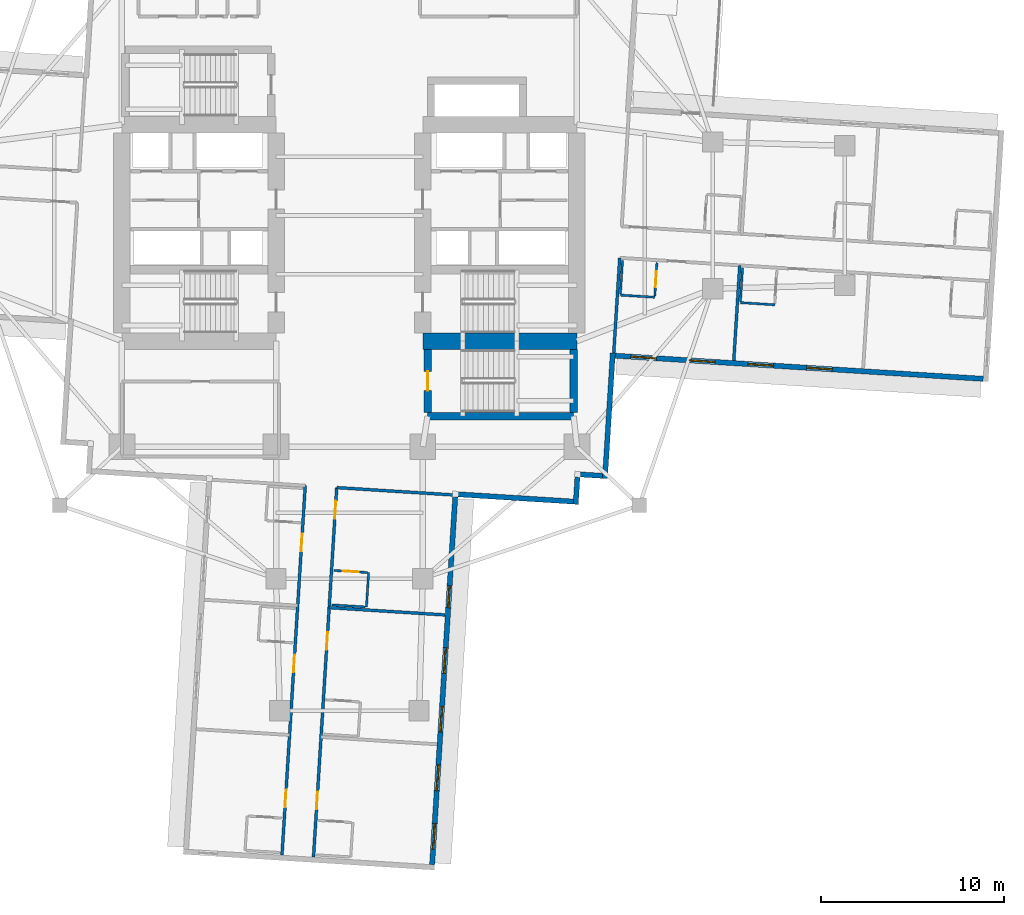
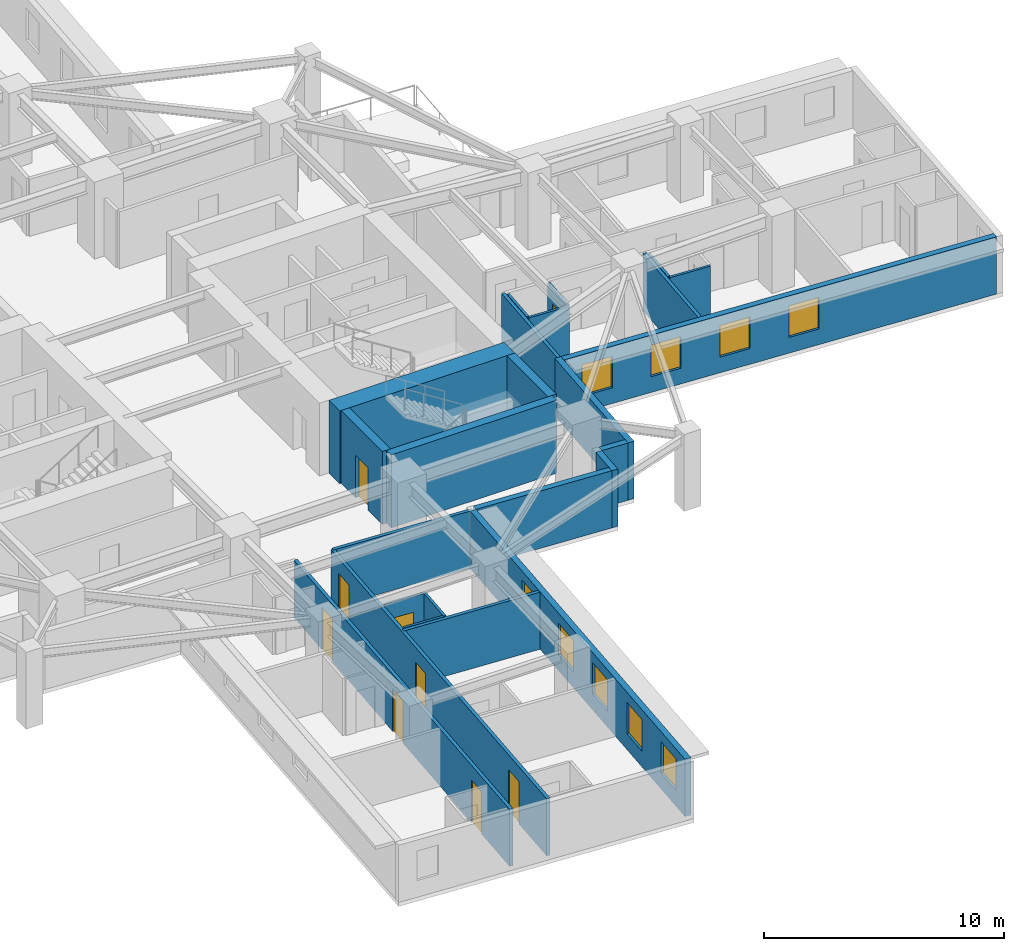
# One storey, part 4 of 14: 24 walls, 9 doors, 9 windows, 18 openings.
"""IFC4 building model written with IfcOpenShell, lengths in metres."""

from ifc_helpers import new_model, si_unit, direction, frame, frame_2d, origin, place, context, subcontext, project, spatial, rectangle, extrude, material, layer, layer_set, type_object, element, fill, save


model = new_model("IFC4")

# Units and contexts
model_context = context("Model", 3, precision=1e-05, world=origin(), true_north=direction((0.0, 1.0)))
body_context = subcontext(model_context, "Body", "Model", "MODEL_VIEW")
ifc_project = project(units=[si_unit("LENGTHUNIT", "METRE"), si_unit("AREAUNIT", "SQUARE_METRE"), si_unit("VOLUMEUNIT", "CUBIC_METRE"), si_unit("PLANEANGLEUNIT", "RADIAN"), si_unit("MASSUNIT", "GRAM", prefix="KILO")], contexts=[model_context])

# Site, building, storey
site_placement = place(None, origin())
site = spatial("IfcSite", under=ifc_project, at=site_placement, CompositionType="ELEMENT")
building_placement = place(site_placement, origin())
building = spatial("IfcBuilding", under=site, at=building_placement, Name="Qingluan Cross Belvedere", CompositionType="ELEMENT")
storey_placement = place(building_placement, frame((0.0, 0.0, 79.5)))
storey = spatial("IfcBuildingStorey", under=building, at=storey_placement, Name="L20", CompositionType="ELEMENT", Elevation=79.5)

# Wall
ifc_material_1 = material(Name="Concrete C50", Category="concrete")
ifc_layer_1 = layer(ifc_material_1, 0.449951171875, Name="CoreShearWall_450")
ifc_layer_set_1 = layer_set([ifc_layer_1], Name="Concrete C50")
wall_type_1 = type_object("IfcWallType", Name="CoreShearWall_450", PredefinedType="SHEAR", material=ifc_layer_set_1)
wall_1_placement = place(storey_placement, frame((4.260009765625, -10.93994140625, 0.0), z_axis=(0.0, 0.0, 1.0), x_axis=(1.0, 0.0, 0.0)))
element("IfcWall", 1, at=wall_1_placement, inside=storey, type_object=wall_type_1, Name="Stair ST4 structural wall S L20", PredefinedType="SHEAR", context=body_context, shape_type="SweptSolid", body=[
    extrude(rectangle(XDim=7.9599609375, YDim=0.39990234375, at=frame_2d((3.97998046875, 0.0))), origin(), (0.0, 0.0, 1.0), 3.699951171875),
])

# Wall, opening, door
wall_2_placement = place(storey_placement, frame((4.260009765625, -10.735107421875, 0.0), z_axis=(0.0, 0.0, 1.0), x_axis=(0.0, 1.0, 0.0)))
wall_2 = element("IfcWall", 2, at=wall_2_placement, inside=storey, type_object=wall_type_1, Name="Stair ST4 structural wall W L20", PredefinedType="SHEAR", context=body_context, shape_type="SweptSolid", body=[
    extrude(rectangle(XDim=3.43017578125, YDim=0.39990234375, at=frame_2d((1.715087890625, 0.0))), origin(), (0.0, 0.0, 1.0), 3.699951171875),
])
opening_1_placement = place(wall_2_placement, frame((1.18505859375, 0.0, 0.0)))
opening_1 = element("IfcOpeningElement", 3, at=opening_1_placement, cuts=wall_2, Name="Opening FD-B11", PredefinedType="OPENING", context=body_context, shape_type="SweptSolid", body=[
    extrude(rectangle(XDim=1.050048828125, YDim=2.14990234375, at=frame_2d((0.52490234375, 1.074951171875))), frame((0.0, 0.2099609375, 0.0), z_axis=(0.0, -1.0, 0.0), x_axis=(1.0, 0.0, 0.0)), (0.0, 0.0, 1.0), 0.419921875),
])
ifc_material_2 = material(Name="Steel Class B smoke-seal fire door", Category="steel")
door_type_1 = type_object("IfcDoorType", Name="StairLobbyFireDoor_FDB", OperationType="NOTDEFINED", PredefinedType="DOOR", material=ifc_material_2)
door_1_placement = place(opening_1_placement, origin())
door_1 = element("IfcDoor", 4, at=door_1_placement, inside=storey, type_object=door_type_1, Name="Smoke-proof stair ST4 fire door L20", OperationType="SINGLE_SWING_LEFT", OverallHeight=2.14990234375, OverallWidth=1.050048828125, PredefinedType="DOOR", context=body_context, shape_type="SweptSolid", body=[
    extrude(rectangle(XDim=1.050048828125, YDim=2.14990234375, at=frame_2d((0.52490234375, 1.074951171875))), frame((0.0, 0.02490234375, 0.0), z_axis=(0.0, -1.0, 0.0), x_axis=(1.0, 0.0, 0.0)), (0.0, 0.0, 1.0), 0.050048828125),
])
fill(opening_1, door_1)

# Walls
wall_3_placement = place(storey_placement, frame((12.219970703125, -10.735107421875, 0.0), z_axis=(0.0, 0.0, 1.0), x_axis=(0.0, 1.0, 0.0)))
element("IfcWall", 5, at=wall_3_placement, inside=storey, type_object=wall_type_1, Name="Stair ST4 structural wall E L20", PredefinedType="SHEAR", context=body_context, shape_type="SweptSolid", body=[
    extrude(rectangle(XDim=3.43017578125, YDim=0.39990234375, at=frame_2d((1.715087890625, 0.0))), origin(), (0.0, 0.0, 1.0), 3.699951171875),
])
ifc_material_3 = material(Name="Concrete C70", Category="concrete")
ifc_layer_2 = layer(ifc_material_3, 0.89990234375, Name="CoreShearWall_900")
ifc_layer_set_2 = layer_set([ifc_layer_2], Name="Concrete C70")
wall_type_2 = type_object("IfcWallType", Name="CoreShearWall_900", PredefinedType="SHEAR", material=ifc_layer_set_2)
wall_4_placement = place(storey_placement, frame((4.0, -6.85009765625, 0.0), z_axis=(0.0, 0.0, 1.0), x_axis=(1.0, 0.0, 0.0)))
element("IfcWall", 6, at=wall_4_placement, inside=storey, type_object=wall_type_2, Name="Split core E shear wall L20-S", PredefinedType="SHEAR", context=body_context, shape_type="SweptSolid", body=[
    extrude(rectangle(XDim=8.39990234375, YDim=0.89990234375, at=frame_2d((4.199951171875, 0.0))), origin(), (0.0, 0.0, 1.0), 3.699951171875),
])
ifc_material_4 = material(Name="Gypsum plasterboard on steel stud acoustic partition", Category="steel")
ifc_layer_3 = layer(ifc_material_4, 0.159912109375, Name="CorridorPartition_160")
ifc_layer_set_3 = layer_set([ifc_layer_3], Name="Gypsum plasterboard on steel stud acoustic partition")
wall_type_3 = type_object("IfcWallType", Name="CorridorPartition_160", PredefinedType="PARTITIONING", material=ifc_layer_set_3)
for number, where, z_axis, x_axis, name in (
    (7, (14.73388671875, -2.309814453125, 0.0), (0.0, 0.0, 1.0), (-0.062776426029, -0.998027615016, 0.0), "Partition L20:E:s1"),
    (8, (21.277099609375, -2.721435546875, 0.0), (0.0, 0.0, 1.0), (-0.062776426029, -0.998027615016, 0.0), "Partition L20:E:d1_0"),
):
    element("IfcWall", number, at=place(storey_placement, frame(where, z_axis=z_axis, x_axis=x_axis)), inside=storey, type_object=wall_type_3, Name=name, PredefinedType="PARTITIONING", context=body_context, shape_type="SweptSolid", body=[
        extrude(rectangle(XDim=5.19189453125, YDim=0.159912109375, at=frame_2d((2.595947265625, 0.0))), origin(), (0.0, 0.0, 1.0), 2.89990234375),
    ])

# Wall, openings, doors
wall_5_placement = place(storey_placement, frame((-0.69287109375, -14.835693359375, 0.0), z_axis=(0.0, 0.0, 1.0), x_axis=(-0.062795509413, -0.998026414479, 0.0)))
wall_5 = element("IfcWall", 9, at=wall_5_placement, inside=storey, type_object=wall_type_3, Name="Partition L20:S:c0", PredefinedType="PARTITIONING", context=body_context, shape_type="SweptSolid", body=[
    extrude(rectangle(XDim=20.181884765625, YDim=0.159912109375, at=frame_2d((10.0908203125, 0.0))), origin(), (0.0, 0.0, 1.0), 2.89990234375),
])
opening_2_placement = place(wall_5_placement, frame((0.73095703125, 0.0, 0.0)))
opening_2 = element("IfcOpeningElement", 10, at=opening_2_placement, cuts=wall_5, Name="Opening GD-10", PredefinedType="OPENING", context=body_context, shape_type="SweptSolid", body=[
    extrude(rectangle(XDim=0.9599609375, YDim=2.14990234375, at=frame_2d((0.47998046875, 1.074951171875))), frame((0.0, 0.08984375, 0.0), z_axis=(0.0, -1.0, 0.0), x_axis=(1.0, 0.0, 0.0)), (0.0, 0.0, 1.0), 0.179931640625),
])
opening_3_placement = place(wall_5_placement, frame((7.89599609375, 0.0, 0.0)))
opening_3 = element("IfcOpeningElement", 11, at=opening_3_placement, cuts=wall_5, Name="Opening GD-10", PredefinedType="OPENING", context=body_context, shape_type="SweptSolid", body=[
    extrude(rectangle(XDim=0.9599609375, YDim=2.14990234375, at=frame_2d((0.47998046875, 1.074951171875))), frame((0.0, 0.08984375, 0.0), z_axis=(0.0, -1.0, 0.0), x_axis=(1.0, 0.0, 0.0)), (0.0, 0.0, 1.0), 0.179931640625),
])
opening_4_placement = place(wall_5_placement, frame((16.611083984375, 0.0, 0.0)))
opening_4 = element("IfcOpeningElement", 12, at=opening_4_placement, cuts=wall_5, Name="Opening GD-10", PredefinedType="OPENING", context=body_context, shape_type="SweptSolid", body=[
    extrude(rectangle(XDim=0.9599609375, YDim=2.14990234375, at=frame_2d((0.47998046875, 1.074951171875))), frame((0.0, 0.08984375, 0.0), z_axis=(0.0, -1.0, 0.0), x_axis=(1.0, 0.0, 0.0)), (0.0, 0.0, 1.0), 0.179931640625),
])
ifc_material_5 = material(Name="Timber oak fire-rated acoustic guestroom door", Category="wood")
door_type_2 = type_object("IfcDoorType", Name="GuestEntryDoor_FD60", OperationType="NOTDEFINED", PredefinedType="DOOR", material=ifc_material_5)
door_2_placement = place(opening_2_placement, origin())
door_2 = element("IfcDoor", 13, at=door_2_placement, inside=storey, type_object=door_type_2, Name="Guest entry fire door 2013", OperationType="SINGLE_SWING_LEFT", OverallHeight=2.14990234375, OverallWidth=0.9599609375, PredefinedType="DOOR", context=body_context, shape_type="SweptSolid", body=[
    extrude(rectangle(XDim=0.9599609375, YDim=2.14990234375, at=frame_2d((0.47998046875, 1.074951171875))), frame((0.0, 0.02490234375, 0.0), z_axis=(0.0, -1.0, 0.0), x_axis=(1.0, 0.0, 0.0)), (0.0, 0.0, 1.0), 0.050048828125),
])
fill(opening_2, door_2)
door_3_placement = place(opening_3_placement, origin())
door_3 = element("IfcDoor", 14, at=door_3_placement, inside=storey, type_object=door_type_2, Name="Guest entry fire door 2014", OperationType="SINGLE_SWING_LEFT", OverallHeight=2.14990234375, OverallWidth=0.9599609375, PredefinedType="DOOR", context=body_context, shape_type="SweptSolid", body=[
    extrude(rectangle(XDim=0.9599609375, YDim=2.14990234375, at=frame_2d((0.47998046875, 1.074951171875))), frame((0.0, 0.02490234375, 0.0), z_axis=(0.0, -1.0, 0.0), x_axis=(1.0, 0.0, 0.0)), (0.0, 0.0, 1.0), 0.050048828125),
])
fill(opening_3, door_3)
door_4_placement = place(opening_4_placement, origin())
door_4 = element("IfcDoor", 15, at=door_4_placement, inside=storey, type_object=door_type_2, Name="Guest entry fire door 2015", OperationType="SINGLE_SWING_LEFT", OverallHeight=2.14990234375, OverallWidth=0.9599609375, PredefinedType="DOOR", context=body_context, shape_type="SweptSolid", body=[
    extrude(rectangle(XDim=0.9599609375, YDim=2.14990234375, at=frame_2d((0.47998046875, 1.074951171875))), frame((0.0, 0.02490234375, 0.0), z_axis=(0.0, -1.0, 0.0), x_axis=(1.0, 0.0, 0.0)), (0.0, 0.0, 1.0), 0.050048828125),
])
fill(opening_4, door_4)

# Walls
wall_6_placement = place(storey_placement, frame((-0.69287109375, -14.835693359375, 0.0), z_axis=(0.0, 0.0, 1.0), x_axis=(0.998025806434, -0.062805172492, 0.0)))
element("IfcWall", 16, at=wall_6_placement, inside=storey, type_object=wall_type_3, Name="Partition L20:S:s0", PredefinedType="PARTITIONING", context=body_context, shape_type="SweptSolid", body=[
    extrude(rectangle(XDim=6.47998046875, YDim=0.159912109375, at=frame_2d((3.239990234375, 0.0))), origin(), (0.0, 0.0, 1.0), 2.89990234375),
])
wall_7_placement = place(storey_placement, frame((-1.1044921875, -21.37890625, 0.0), z_axis=(0.0, 0.0, 1.0), x_axis=(0.998027895917, -0.062771960074, 0.0)))
element("IfcWall", 17, at=wall_7_placement, inside=storey, type_object=wall_type_3, Name="Partition L20:S:d0_0", PredefinedType="PARTITIONING", context=body_context, shape_type="SweptSolid", body=[
    extrude(rectangle(XDim=6.331787109375, YDim=0.159912109375, at=frame_2d((3.166015625, 0.0))), origin(), (0.0, 0.0, 1.0), 2.89990234375),
])

# Wall, openings, doors
wall_8_placement = place(storey_placement, frame((-2.409423828125, -14.727783203125, 0.0), z_axis=(0.0, 0.0, 1.0), x_axis=(-0.062795509413, -0.998026414479, 0.0)))
wall_8 = element("IfcWall", 18, at=wall_8_placement, inside=storey, type_object=wall_type_3, Name="Partition L20:S:c1", PredefinedType="PARTITIONING", context=body_context, shape_type="SweptSolid", body=[
    extrude(rectangle(XDim=20.181884765625, YDim=0.159912109375, at=frame_2d((10.0908203125, 0.0))), origin(), (0.0, 0.0, 1.0), 2.89990234375),
])
opening_5_placement = place(wall_8_placement, frame((2.635986328125, 0.0, 0.0)))
opening_5 = element("IfcOpeningElement", 19, at=opening_5_placement, cuts=wall_8, Name="Opening GD-10", PredefinedType="OPENING", context=body_context, shape_type="SweptSolid", body=[
    extrude(rectangle(XDim=0.9599609375, YDim=2.14990234375, at=frame_2d((0.47998046875, 1.074951171875))), frame((0.0, 0.08984375, 0.0), z_axis=(0.0, -1.0, 0.0), x_axis=(1.0, 0.0, 0.0)), (0.0, 0.0, 1.0), 0.179931640625),
])
opening_6_placement = place(wall_8_placement, frame((9.242919921875, 0.0, 0.0)))
opening_6 = element("IfcOpeningElement", 20, at=opening_6_placement, cuts=wall_8, Name="Opening GD-10", PredefinedType="OPENING", context=body_context, shape_type="SweptSolid", body=[
    extrude(rectangle(XDim=0.9599609375, YDim=2.14990234375, at=frame_2d((0.47998046875, 1.074951171875))), frame((0.0, 0.08984375, 0.0), z_axis=(0.0, -1.0, 0.0), x_axis=(1.0, 0.0, 0.0)), (0.0, 0.0, 1.0), 0.179931640625),
])
opening_7_placement = place(wall_8_placement, frame((16.611083984375, 0.0, 0.0)))
opening_7 = element("IfcOpeningElement", 21, at=opening_7_placement, cuts=wall_8, Name="Opening GD-10", PredefinedType="OPENING", context=body_context, shape_type="SweptSolid", body=[
    extrude(rectangle(XDim=0.9599609375, YDim=2.14990234375, at=frame_2d((0.47998046875, 1.074951171875))), frame((0.0, 0.08984375, 0.0), z_axis=(0.0, -1.0, 0.0), x_axis=(1.0, 0.0, 0.0)), (0.0, 0.0, 1.0), 0.179931640625),
])
door_5_placement = place(opening_5_placement, origin())
door_5 = element("IfcDoor", 22, at=door_5_placement, inside=storey, type_object=door_type_2, Name="Guest entry fire door 2016", OperationType="SINGLE_SWING_LEFT", OverallHeight=2.14990234375, OverallWidth=0.9599609375, PredefinedType="DOOR", context=body_context, shape_type="SweptSolid", body=[
    extrude(rectangle(XDim=0.9599609375, YDim=2.14990234375, at=frame_2d((0.47998046875, 1.074951171875))), frame((0.0, 0.02490234375, 0.0), z_axis=(0.0, -1.0, 0.0), x_axis=(1.0, 0.0, 0.0)), (0.0, 0.0, 1.0), 0.050048828125),
])
fill(opening_5, door_5)
door_6_placement = place(opening_6_placement, origin())
door_6 = element("IfcDoor", 23, at=door_6_placement, inside=storey, type_object=door_type_2, Name="Guest entry fire door 2017", OperationType="SINGLE_SWING_LEFT", OverallHeight=2.14990234375, OverallWidth=0.9599609375, PredefinedType="DOOR", context=body_context, shape_type="SweptSolid", body=[
    extrude(rectangle(XDim=0.9599609375, YDim=2.14990234375, at=frame_2d((0.47998046875, 1.074951171875))), frame((0.0, 0.02490234375, 0.0), z_axis=(0.0, -1.0, 0.0), x_axis=(1.0, 0.0, 0.0)), (0.0, 0.0, 1.0), 0.050048828125),
])
fill(opening_6, door_6)
door_7_placement = place(opening_7_placement, origin())
door_7 = element("IfcDoor", 24, at=door_7_placement, inside=storey, type_object=door_type_2, Name="Guest entry fire door 2018", OperationType="SINGLE_SWING_LEFT", OverallHeight=2.14990234375, OverallWidth=0.9599609375, PredefinedType="DOOR", context=body_context, shape_type="SweptSolid", body=[
    extrude(rectangle(XDim=0.9599609375, YDim=2.14990234375, at=frame_2d((0.47998046875, 1.074951171875))), frame((0.0, 0.02490234375, 0.0), z_axis=(0.0, -1.0, 0.0), x_axis=(1.0, 0.0, 0.0)), (0.0, 0.0, 1.0), 0.050048828125),
])
fill(opening_7, door_7)

# Wall, opening, door
ifc_material_6 = material(Name="Moisture-resistant gypsum board lining")
ifc_layer_4 = layer(ifc_material_6, 0.1201171875, Name="EnsuiteWetPartition_120")
ifc_layer_set_4 = layer_set([ifc_layer_4], Name="Moisture-resistant gypsum board lining")
wall_type_4 = type_object("IfcWallType", Name="EnsuiteWetPartition_120", PredefinedType="PARTITIONING", material=ifc_layer_set_4)
wall_9_placement = place(storey_placement, frame((16.64697265625, -4.393798828125, 0.0), z_axis=(0.0, 0.0, 1.0), x_axis=(0.062779145668, 0.998027443946, 0.0)))
wall_9 = element("IfcWall", 25, at=wall_9_placement, inside=storey, type_object=wall_type_4, Name="Partition L20:E:bs1_0", PredefinedType="PARTITIONING", context=body_context, shape_type="SweptSolid", body=[
    extrude(rectangle(XDim=1.820068359375, YDim=0.1201171875, at=frame_2d((0.91015625, 0.0))), origin(), (0.0, 0.0, 1.0), 2.89990234375),
])
opening_8_placement = place(wall_9_placement, frame((0.469970703125, 0.0, 0.0)))
opening_8 = element("IfcOpeningElement", 26, at=opening_8_placement, cuts=wall_9, Name="Opening BD-09", PredefinedType="OPENING", context=body_context, shape_type="SweptSolid", body=[
    extrude(rectangle(XDim=0.8798828125, YDim=2.10009765625, at=frame_2d((0.43994140625, 1.050048828125))), frame((0.0, 0.070068359375, 0.0), z_axis=(0.0, -1.0, 0.0), x_axis=(1.0, 0.0, 0.0)), (0.0, 0.0, 1.0), 0.14013671875),
])
ifc_material_7 = material(Name="Moisture-sealed timber en-suite door", Category="wood")
door_type_3 = type_object("IfcDoorType", Name="BathroomDoor_880", OperationType="NOTDEFINED", PredefinedType="DOOR", material=ifc_material_7)
door_8_placement = place(opening_8_placement, origin())
door_8 = element("IfcDoor", 27, at=door_8_placement, inside=storey, type_object=door_type_3, Name="Bathroom door 2004", OperationType="SINGLE_SWING_RIGHT", OverallHeight=2.10009765625, OverallWidth=0.8798828125, PredefinedType="DOOR", context=body_context, shape_type="SweptSolid", body=[
    extrude(rectangle(XDim=0.8798828125, YDim=2.10009765625, at=frame_2d((0.43994140625, 1.050048828125))), frame((0.0, 0.02490234375, 0.0), z_axis=(0.0, -1.0, 0.0), x_axis=(1.0, 0.0, 0.0)), (0.0, 0.0, 1.0), 0.050048828125),
])
fill(opening_8, door_8)

# Walls
wall_10_placement = place(storey_placement, frame((14.770751953125, -4.27587890625, 0.0), z_axis=(0.0, 0.0, 1.0), x_axis=(0.062779145668, 0.998027443946, 0.0)))
element("IfcWall", 28, at=wall_10_placement, inside=storey, type_object=wall_type_4, Name="Partition L20:E:bw1_0", PredefinedType="PARTITIONING", context=body_context, shape_type="SweptSolid", body=[
    extrude(rectangle(XDim=1.820068359375, YDim=0.1201171875, at=frame_2d((0.91015625, 0.0))), origin(), (0.0, 0.0, 1.0), 2.89990234375),
])
wall_11_placement = place(storey_placement, frame((14.7666015625, -4.3408203125, 0.0), z_axis=(0.0, 0.0, 1.0), x_axis=(0.998030789148, -0.062725942896, 0.0)))
element("IfcWall", 29, at=wall_11_placement, inside=storey, type_object=wall_type_4, Name="Partition L20:E:bc1_0", PredefinedType="PARTITIONING", context=body_context, shape_type="SweptSolid", body=[
    extrude(rectangle(XDim=1.8798828125, YDim=0.1201171875, at=frame_2d((0.93994140625, 0.0))), origin(), (0.0, 0.0, 1.0), 2.89990234375),
])
wall_12_placement = place(storey_placement, frame((21.313720703125, -4.6875, 0.0), z_axis=(0.0, 0.0, 1.0), x_axis=(0.062779145668, 0.998027443946, 0.0)))
element("IfcWall", 30, at=wall_12_placement, inside=storey, type_object=wall_type_4, Name="Partition L20:E:bw1_1", PredefinedType="PARTITIONING", context=body_context, shape_type="SweptSolid", body=[
    extrude(rectangle(XDim=1.820068359375, YDim=0.1201171875, at=frame_2d((0.91015625, 0.0))), origin(), (0.0, 0.0, 1.0), 2.89990234375),
])
wall_13_placement = place(storey_placement, frame((21.3095703125, -4.75244140625, 0.0), z_axis=(0.0, 0.0, 1.0), x_axis=(0.998022650819, -0.062855297722, 0.0)))
element("IfcWall", 31, at=wall_13_placement, inside=storey, type_object=wall_type_4, Name="Partition L20:E:bc1_1", PredefinedType="PARTITIONING", context=body_context, shape_type="SweptSolid", body=[
    extrude(rectangle(XDim=1.8798828125, YDim=0.1201171875, at=frame_2d((0.93994140625, 0.0))), origin(), (0.0, 0.0, 1.0), 2.89990234375),
])

# Wall, opening, door
wall_14_placement = place(storey_placement, frame((-0.8369140625, -19.3515625, 0.0), z_axis=(0.0, 0.0, 1.0), x_axis=(0.998027972529, -0.062770741989, 0.0)))
wall_14 = element("IfcWall", 32, at=wall_14_placement, inside=storey, type_object=wall_type_4, Name="Partition L20:S:bs0_0", PredefinedType="PARTITIONING", context=body_context, shape_type="SweptSolid", body=[
    extrude(rectangle(XDim=1.8203125, YDim=0.1201171875, at=frame_2d((0.91015625, 0.0))), origin(), (0.0, 0.0, 1.0), 2.89990234375),
])
opening_9_placement = place(wall_14_placement, frame((0.469970703125, 0.0, 0.0)))
opening_9 = element("IfcOpeningElement", 33, at=opening_9_placement, cuts=wall_14, Name="Opening BD-09", PredefinedType="OPENING", context=body_context, shape_type="SweptSolid", body=[
    extrude(rectangle(XDim=0.8798828125, YDim=2.10009765625, at=frame_2d((0.43994140625, 1.050048828125))), frame((0.0, 0.070068359375, 0.0), z_axis=(0.0, -1.0, 0.0), x_axis=(1.0, 0.0, 0.0)), (0.0, 0.0, 1.0), 0.14013671875),
])
door_9_placement = place(opening_9_placement, origin())
door_9 = element("IfcDoor", 34, at=door_9_placement, inside=storey, type_object=door_type_3, Name="Bathroom door 2013", OperationType="SINGLE_SWING_RIGHT", OverallHeight=2.10009765625, OverallWidth=0.8798828125, PredefinedType="DOOR", context=body_context, shape_type="SweptSolid", body=[
    extrude(rectangle(XDim=0.8798828125, YDim=2.10009765625, at=frame_2d((0.43994140625, 1.050048828125))), frame((0.0, 0.02490234375, 0.0), z_axis=(0.0, -1.0, 0.0), x_axis=(1.0, 0.0, 0.0)), (0.0, 0.0, 1.0), 0.050048828125),
])
fill(opening_9, door_9)

# Walls
wall_15_placement = place(storey_placement, frame((-0.954833984375, -21.227783203125, 0.0), z_axis=(0.0, 0.0, 1.0), x_axis=(0.998019030272, -0.062912758763, 0.0)))
element("IfcWall", 35, at=wall_15_placement, inside=storey, type_object=wall_type_4, Name="Partition L20:S:bw0_0", PredefinedType="PARTITIONING", context=body_context, shape_type="SweptSolid", body=[
    extrude(rectangle(XDim=1.820068359375, YDim=0.1201171875, at=frame_2d((0.91015625, 0.0))), origin(), (0.0, 0.0, 1.0), 2.89990234375),
])
wall_16_placement = place(storey_placement, frame((1.04443359375, -19.469970703125, 0.0), z_axis=(0.0, 0.0, 1.0), x_axis=(-0.062725942896, -0.998030789148, 0.0)))
element("IfcWall", 36, at=wall_16_placement, inside=storey, type_object=wall_type_4, Name="Partition L20:S:bn0_0", PredefinedType="PARTITIONING", context=body_context, shape_type="SweptSolid", body=[
    extrude(rectangle(XDim=1.8798828125, YDim=0.1201171875, at=frame_2d((0.93994140625, 0.0))), origin(), (0.0, 0.0, 1.0), 2.89990234375),
])

# Wall, openings, windows
ifc_material_8 = material(Name="Precast concrete C45", Category="concrete")
ifc_layer_5 = layer(ifc_material_8, 0.280029296875, Name="PrecastFacadeWall_280")
ifc_layer_set_5 = layer_set([ifc_layer_5], Name="Precast concrete C45")
wall_type_5 = type_object("IfcWallType", Name="PrecastFacadeWall_280", PredefinedType="STANDARD", material=ifc_layer_set_5)
wall_17_placement = place(storey_placement, frame((14.488525390625, -7.644775390625, 0.0), z_axis=(0.0, 0.0, 1.0), x_axis=(0.99802635503, -0.06279645424, 0.0)))
wall_17 = element("IfcWall", 37, at=wall_17_placement, inside=storey, type_object=wall_type_5, Name="Facade wall L20-EA", PredefinedType="STANDARD", context=body_context, shape_type="SweptSolid", body=[
    extrude(rectangle(XDim=20.099853515625, YDim=0.280029296875, at=frame_2d((10.0498046875, 0.0))), origin(), (0.0, 0.0, 1.0), 2.909912109375),
])
opening_10_placement = place(wall_17_placement, frame((0.85009765625, 0.0, 0.800048828125)))
opening_10 = element("IfcOpeningElement", 38, at=opening_10_placement, cuts=wall_17, Name="Opening W-01", PredefinedType="OPENING", context=body_context, shape_type="SweptSolid", body=[
    extrude(rectangle(XDim=1.39990234375, YDim=1.60009765625, at=frame_2d((0.699951171875, 0.800048828125))), frame((0.0, 0.14990234375, 0.0), z_axis=(0.0, -1.0, 0.0), x_axis=(1.0, 0.0, 0.0)), (0.0, 0.0, 1.0), 0.300048828125),
])
opening_11_placement = place(wall_17_placement, frame((4.050048828125, 0.0, 0.800048828125)))
opening_11 = element("IfcOpeningElement", 39, at=opening_11_placement, cuts=wall_17, Name="Opening W-01", PredefinedType="OPENING", context=body_context, shape_type="SweptSolid", body=[
    extrude(rectangle(XDim=1.39990234375, YDim=1.60009765625, at=frame_2d((0.699951171875, 0.800048828125))), frame((0.0, 0.14990234375, 0.0), z_axis=(0.0, -1.0, 0.0), x_axis=(1.0, 0.0, 0.0)), (0.0, 0.0, 1.0), 0.300048828125),
])
opening_12_placement = place(wall_17_placement, frame((7.25, 0.0, 0.800048828125)))
opening_12 = element("IfcOpeningElement", 40, at=opening_12_placement, cuts=wall_17, Name="Opening W-01", PredefinedType="OPENING", context=body_context, shape_type="SweptSolid", body=[
    extrude(rectangle(XDim=1.39990234375, YDim=1.60009765625, at=frame_2d((0.699951171875, 0.800048828125))), frame((0.0, 0.14990234375, 0.0), z_axis=(0.0, -1.0, 0.0), x_axis=(1.0, 0.0, 0.0)), (0.0, 0.0, 1.0), 0.300048828125),
])
opening_13_placement = place(wall_17_placement, frame((10.449951171875, 0.0, 0.800048828125)))
opening_13 = element("IfcOpeningElement", 41, at=opening_13_placement, cuts=wall_17, Name="Opening W-01", PredefinedType="OPENING", context=body_context, shape_type="SweptSolid", body=[
    extrude(rectangle(XDim=1.39990234375, YDim=1.60009765625, at=frame_2d((0.699951171875, 0.800048828125))), frame((0.0, 0.14990234375, 0.0), z_axis=(0.0, -1.0, 0.0), x_axis=(1.0, 0.0, 0.0)), (0.0, 0.0, 1.0), 0.300048828125),
])
ifc_material_9 = material(Name="Thermally broken triple Low-E glass in aluminium frame", Category="aluminium")
window_type_1 = type_object("IfcWindowType", Name="TriRibbonWin_1400x1600", PartitioningType="SINGLE_PANEL", PredefinedType="WINDOW", material=ifc_material_9)
window_1_placement = place(opening_10_placement, origin())
window_1 = element("IfcWindow", 42, at=window_1_placement, inside=storey, type_object=window_type_1, Name="Ribbon window L20-EA-1", OverallHeight=1.60009765625, OverallWidth=1.39990234375, PartitioningType="SINGLE_PANEL", PredefinedType="WINDOW", context=body_context, shape_type="SweptSolid", body=[
    extrude(rectangle(XDim=1.39990234375, YDim=1.60009765625, at=frame_2d((0.699951171875, 0.800048828125))), frame((0.0, 0.030029296875, 0.0), z_axis=(0.0, -1.0, 0.0), x_axis=(1.0, 0.0, 0.0)), (0.0, 0.0, 1.0), 0.06005859375),
])
fill(opening_10, window_1)
window_2_placement = place(opening_11_placement, origin())
window_2 = element("IfcWindow", 43, at=window_2_placement, inside=storey, type_object=window_type_1, Name="Ribbon window L20-EA-2", OverallHeight=1.60009765625, OverallWidth=1.39990234375, PartitioningType="SINGLE_PANEL", PredefinedType="WINDOW", context=body_context, shape_type="SweptSolid", body=[
    extrude(rectangle(XDim=1.39990234375, YDim=1.60009765625, at=frame_2d((0.699951171875, 0.800048828125))), frame((0.0, 0.030029296875, 0.0), z_axis=(0.0, -1.0, 0.0), x_axis=(1.0, 0.0, 0.0)), (0.0, 0.0, 1.0), 0.06005859375),
])
fill(opening_11, window_2)
window_3_placement = place(opening_12_placement, origin())
window_3 = element("IfcWindow", 44, at=window_3_placement, inside=storey, type_object=window_type_1, Name="Ribbon window L20-EA-3", OverallHeight=1.60009765625, OverallWidth=1.39990234375, PartitioningType="SINGLE_PANEL", PredefinedType="WINDOW", context=body_context, shape_type="SweptSolid", body=[
    extrude(rectangle(XDim=1.39990234375, YDim=1.60009765625, at=frame_2d((0.699951171875, 0.800048828125))), frame((0.0, 0.030029296875, 0.0), z_axis=(0.0, -1.0, 0.0), x_axis=(1.0, 0.0, 0.0)), (0.0, 0.0, 1.0), 0.06005859375),
])
fill(opening_12, window_3)
window_4_placement = place(opening_13_placement, origin())
window_4 = element("IfcWindow", 45, at=window_4_placement, inside=storey, type_object=window_type_1, Name="Ribbon window L20-EA-4", OverallHeight=1.60009765625, OverallWidth=1.39990234375, PartitioningType="SINGLE_PANEL", PredefinedType="WINDOW", context=body_context, shape_type="SweptSolid", body=[
    extrude(rectangle(XDim=1.39990234375, YDim=1.60009765625, at=frame_2d((0.699951171875, 0.800048828125))), frame((0.0, 0.030029296875, 0.0), z_axis=(0.0, -1.0, 0.0), x_axis=(1.0, 0.0, 0.0)), (0.0, 0.0, 1.0), 0.06005859375),
])
fill(opening_13, window_4)

wall_18_placement = place(storey_placement, frame((4.506591796875, -35.392822265625, 0.0), z_axis=(0.0, 0.0, 1.0), x_axis=(0.062784355807, 0.998027116198, 0.0)))
wall_18 = element("IfcWall", 46, at=wall_18_placement, inside=storey, type_object=wall_type_5, Name="Facade wall L20-SB", PredefinedType="STANDARD", context=body_context, shape_type="SweptSolid", body=[
    extrude(rectangle(XDim=20.099853515625, YDim=0.280029296875, at=frame_2d((10.0498046875, 0.0))), origin(), (0.0, 0.0, 1.0), 2.909912109375),
])
opening_14_placement = place(wall_18_placement, frame((0.85009765625, 0.0, 0.800048828125)))
opening_14 = element("IfcOpeningElement", 47, at=opening_14_placement, cuts=wall_18, Name="Opening W-01", PredefinedType="OPENING", context=body_context, shape_type="SweptSolid", body=[
    extrude(rectangle(XDim=1.39990234375, YDim=1.60009765625, at=frame_2d((0.699951171875, 0.800048828125))), frame((0.0, 0.14990234375, 0.0), z_axis=(0.0, -1.0, 0.0), x_axis=(1.0, 0.0, 0.0)), (0.0, 0.0, 1.0), 0.300048828125),
])
opening_15_placement = place(wall_18_placement, frame((4.050048828125, 0.0, 0.800048828125)))
opening_15 = element("IfcOpeningElement", 48, at=opening_15_placement, cuts=wall_18, Name="Opening W-01", PredefinedType="OPENING", context=body_context, shape_type="SweptSolid", body=[
    extrude(rectangle(XDim=1.39990234375, YDim=1.60009765625, at=frame_2d((0.699951171875, 0.800048828125))), frame((0.0, 0.14990234375, 0.0), z_axis=(0.0, -1.0, 0.0), x_axis=(1.0, 0.0, 0.0)), (0.0, 0.0, 1.0), 0.300048828125),
])
opening_16_placement = place(wall_18_placement, frame((7.25, 0.0, 0.800048828125)))
opening_16 = element("IfcOpeningElement", 49, at=opening_16_placement, cuts=wall_18, Name="Opening W-01", PredefinedType="OPENING", context=body_context, shape_type="SweptSolid", body=[
    extrude(rectangle(XDim=1.39990234375, YDim=1.60009765625, at=frame_2d((0.699951171875, 0.800048828125))), frame((0.0, 0.14990234375, 0.0), z_axis=(0.0, -1.0, 0.0), x_axis=(1.0, 0.0, 0.0)), (0.0, 0.0, 1.0), 0.300048828125),
])
opening_17_placement = place(wall_18_placement, frame((10.449951171875, 0.0, 0.800048828125)))
opening_17 = element("IfcOpeningElement", 50, at=opening_17_placement, cuts=wall_18, Name="Opening W-01", PredefinedType="OPENING", context=body_context, shape_type="SweptSolid", body=[
    extrude(rectangle(XDim=1.39990234375, YDim=1.60009765625, at=frame_2d((0.699951171875, 0.800048828125))), frame((0.0, 0.14990234375, 0.0), z_axis=(0.0, -1.0, 0.0), x_axis=(1.0, 0.0, 0.0)), (0.0, 0.0, 1.0), 0.300048828125),
])
opening_18_placement = place(wall_18_placement, frame((14.034912109375, 0.0, 0.85009765625)))
opening_18 = element("IfcOpeningElement", 51, at=opening_18_placement, cuts=wall_18, Name="Opening W-02", PredefinedType="OPENING", context=body_context, shape_type="SweptSolid", body=[
    extrude(rectangle(XDim=1.199951171875, YDim=1.60009765625, at=frame_2d((0.60009765625, 0.800048828125))), frame((0.0, 0.14990234375, 0.0), z_axis=(0.0, -1.0, 0.0), x_axis=(1.0, 0.0, 0.0)), (0.0, 0.0, 1.0), 0.300048828125),
])
ifc_material_10 = material(Name="Thermally broken triple Low-E glass in aluminium frame", Category="aluminium")
window_type_2 = type_object("IfcWindowType", Name="TriRibbonWin_1200x1600", PartitioningType="SINGLE_PANEL", PredefinedType="WINDOW", material=ifc_material_10)
window_5_placement = place(opening_18_placement, origin())
window_5 = element("IfcWindow", 52, at=window_5_placement, inside=storey, type_object=window_type_2, Name="Deluxe guest room 2013 daylight window", OverallHeight=1.60009765625, OverallWidth=1.199951171875, PartitioningType="SINGLE_PANEL", PredefinedType="WINDOW", context=body_context, shape_type="SweptSolid", body=[
    extrude(rectangle(XDim=1.199951171875, YDim=1.60009765625, at=frame_2d((0.60009765625, 0.800048828125))), frame((0.0, 0.030029296875, 0.0), z_axis=(0.0, -1.0, 0.0), x_axis=(1.0, 0.0, 0.0)), (0.0, 0.0, 1.0), 0.06005859375),
])
fill(opening_18, window_5)
window_6_placement = place(opening_14_placement, origin())
window_6 = element("IfcWindow", 53, at=window_6_placement, inside=storey, type_object=window_type_1, Name="Ribbon window L20-SB-1", OverallHeight=1.60009765625, OverallWidth=1.39990234375, PartitioningType="SINGLE_PANEL", PredefinedType="WINDOW", context=body_context, shape_type="SweptSolid", body=[
    extrude(rectangle(XDim=1.39990234375, YDim=1.60009765625, at=frame_2d((0.699951171875, 0.800048828125))), frame((0.0, 0.030029296875, 0.0), z_axis=(0.0, -1.0, 0.0), x_axis=(1.0, 0.0, 0.0)), (0.0, 0.0, 1.0), 0.06005859375),
])
fill(opening_14, window_6)
window_7_placement = place(opening_15_placement, origin())
window_7 = element("IfcWindow", 54, at=window_7_placement, inside=storey, type_object=window_type_1, Name="Ribbon window L20-SB-2", OverallHeight=1.60009765625, OverallWidth=1.39990234375, PartitioningType="SINGLE_PANEL", PredefinedType="WINDOW", context=body_context, shape_type="SweptSolid", body=[
    extrude(rectangle(XDim=1.39990234375, YDim=1.60009765625, at=frame_2d((0.699951171875, 0.800048828125))), frame((0.0, 0.030029296875, 0.0), z_axis=(0.0, -1.0, 0.0), x_axis=(1.0, 0.0, 0.0)), (0.0, 0.0, 1.0), 0.06005859375),
])
fill(opening_15, window_7)
window_8_placement = place(opening_16_placement, origin())
window_8 = element("IfcWindow", 55, at=window_8_placement, inside=storey, type_object=window_type_1, Name="Ribbon window L20-SB-3", OverallHeight=1.60009765625, OverallWidth=1.39990234375, PartitioningType="SINGLE_PANEL", PredefinedType="WINDOW", context=body_context, shape_type="SweptSolid", body=[
    extrude(rectangle(XDim=1.39990234375, YDim=1.60009765625, at=frame_2d((0.699951171875, 0.800048828125))), frame((0.0, 0.030029296875, 0.0), z_axis=(0.0, -1.0, 0.0), x_axis=(1.0, 0.0, 0.0)), (0.0, 0.0, 1.0), 0.06005859375),
])
fill(opening_16, window_8)
window_9_placement = place(opening_17_placement, origin())
window_9 = element("IfcWindow", 56, at=window_9_placement, inside=storey, type_object=window_type_1, Name="Ribbon window L20-SB-4", OverallHeight=1.60009765625, OverallWidth=1.39990234375, PartitioningType="SINGLE_PANEL", PredefinedType="WINDOW", context=body_context, shape_type="SweptSolid", body=[
    extrude(rectangle(XDim=1.39990234375, YDim=1.60009765625, at=frame_2d((0.699951171875, 0.800048828125))), frame((0.0, 0.030029296875, 0.0), z_axis=(0.0, -1.0, 0.0), x_axis=(1.0, 0.0, 0.0)), (0.0, 0.0, 1.0), 0.06005859375),
])
fill(opening_17, window_9)

# Walls
wall_19_placement = place(storey_placement, frame((14.357666015625, -7.496337890625, 0.0), z_axis=(0.0, 0.0, 1.0), x_axis=(-0.062779317195, -0.998027433156, 0.0)))
element("IfcWall", 57, at=wall_19_placement, inside=storey, type_object=wall_type_5, Name="Corner wall L20-SE1", PredefinedType="STANDARD", context=body_context, shape_type="SweptSolid", body=[
    extrude(rectangle(XDim=6.85986328125, YDim=0.280029296875, at=frame_2d((3.429931640625, 0.0))), origin(), (0.0, 0.0, 1.0), 2.909912109375),
])
wall_20_placement = place(storey_placement, frame((13.7958984375, -14.1943359375, 0.0), z_axis=(0.0, 0.0, 1.0), x_axis=(-0.998023660242, 0.06283926796, 0.0)))
element("IfcWall", 58, at=wall_20_placement, inside=storey, type_object=wall_type_5, Name="Corner wall L20-SE2", PredefinedType="STANDARD", context=body_context, shape_type="SweptSolid", body=[
    extrude(rectangle(XDim=1.219970703125, YDim=0.280029296875, at=frame_2d((0.60986328125, 0.0))), origin(), (0.0, 0.0, 1.0), 2.909912109375),
])
wall_21_placement = place(storey_placement, frame((12.429931640625, -14.24853515625, 0.0), z_axis=(0.0, 0.0, 1.0), x_axis=(-0.062824119533, -0.998024613927, 0.0)))
element("IfcWall", 59, at=wall_21_placement, inside=storey, type_object=wall_type_5, Name="Corner wall L20-SE3", PredefinedType="STANDARD", context=body_context, shape_type="SweptSolid", body=[
    extrude(rectangle(XDim=1.5, YDim=0.280029296875, at=frame_2d((0.75, 0.0))), origin(), (0.0, 0.0, 1.0), 2.909912109375),
])
wall_22_placement = place(storey_placement, frame((12.20458984375, -15.59716796875, 0.0), z_axis=(0.0, 0.0, 1.0), x_axis=(-0.998024885752, 0.062819801181, 0.0)))
element("IfcWall", 60, at=wall_22_placement, inside=storey, type_object=wall_type_5, Name="Corner wall L20-SE4", PredefinedType="STANDARD", context=body_context, shape_type="SweptSolid", body=[
    extrude(rectangle(XDim=6.2998046875, YDim=0.280029296875, at=frame_2d((3.14990234375, 0.0))), origin(), (0.0, 0.0, 1.0), 2.909912109375),
])

save(model, "model.ifc")
